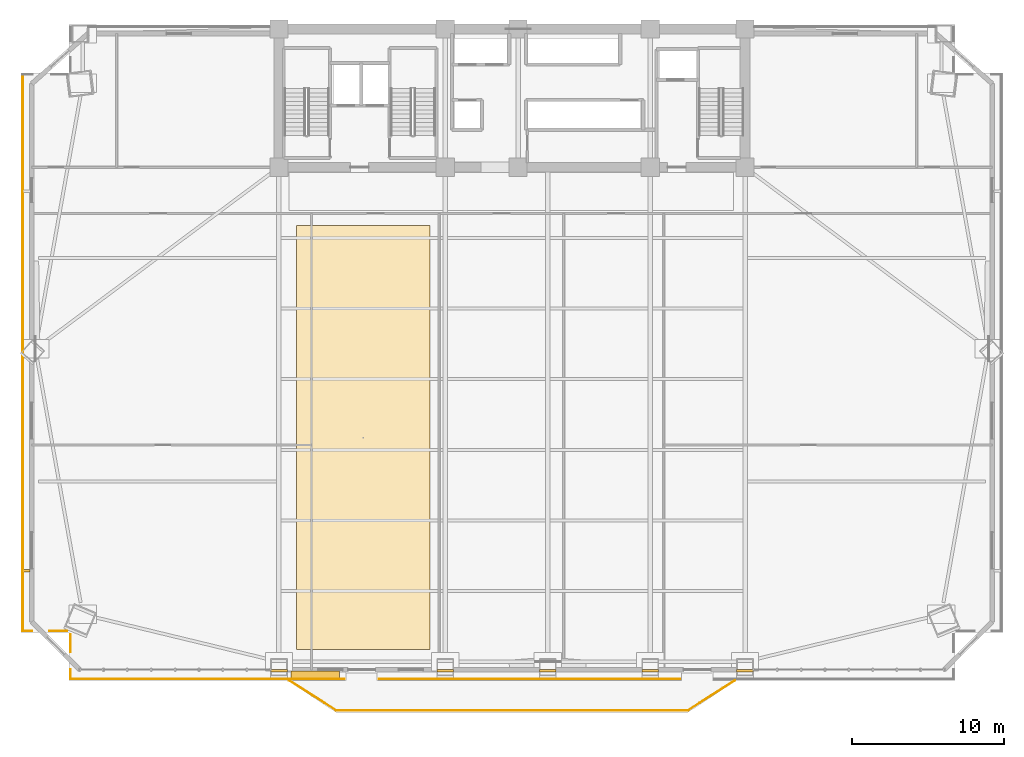
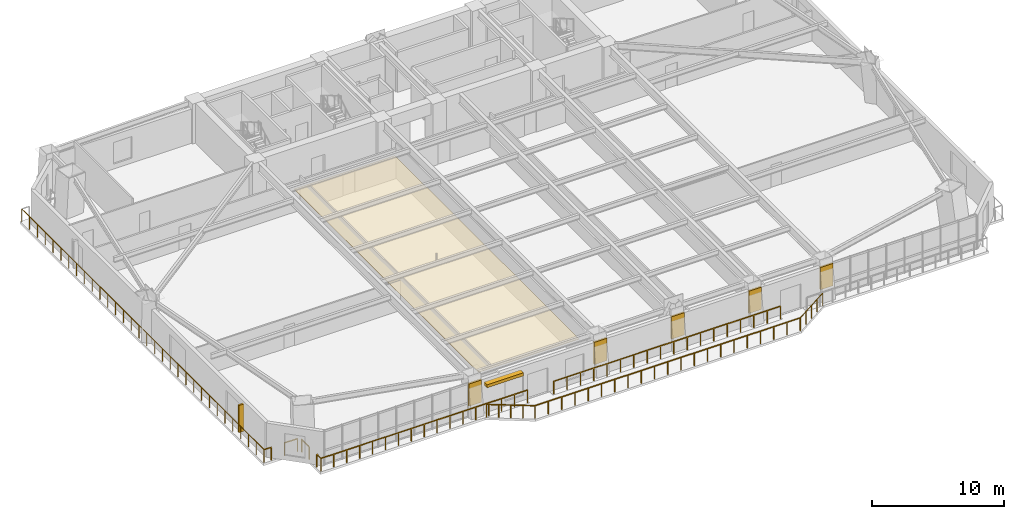
# One storey, part 13 of 17: 10 railings, 6 coverings, 2 shading devices.
"""IFC4 building model written with IfcOpenShell, lengths in metres."""

from ifc_helpers import new_model, si_unit, direction, frame, origin, origin_2d, place, context, subcontext, project, spatial, polyline, rectangle, outline, extrude, source, transform, mapped, material, layer, layer_set, type_object, element, save


model = new_model("IFC4")

# Units and contexts
model_context = context("Model", 3, precision=1e-05, world=origin(), true_north=direction((0.0, 1.0)))
body_context = subcontext(model_context, "Body", "Model", "MODEL_VIEW")
ifc_project = project(units=[si_unit("LENGTHUNIT", "METRE"), si_unit("AREAUNIT", "SQUARE_METRE"), si_unit("VOLUMEUNIT", "CUBIC_METRE"), si_unit("PLANEANGLEUNIT", "RADIAN"), si_unit("MASSUNIT", "GRAM", prefix="KILO")], contexts=[model_context])

# Site, building, storey
site_placement = place(None, origin())
site = spatial("IfcSite", under=ifc_project, at=site_placement, CompositionType="ELEMENT")
building_placement = place(site_placement, origin())
building = spatial("IfcBuilding", under=site, at=building_placement, Name="Giltprow Tower", CompositionType="ELEMENT")
storey_placement = place(building_placement, frame((0.0, 0.0, 57.199951171875)))
storey = spatial("IfcBuildingStorey", under=building, at=storey_placement, Name="L14", CompositionType="ELEMENT", Elevation=57.199951171875)

# Coverings
ifc_material_1 = material(Name="Acoustic mineral fibre", Category="gypsum")
ifc_layer_1 = layer(ifc_material_1, 0.030029296875, Name="Acoustic mineral fibre")
ifc_layer_set_1 = layer_set([ifc_layer_1], Name="Acoustic mineral fibre")
covering_type_1 = type_object("IfcCoveringType", Name="COV-CLG-ACOUSTIC", PredefinedType="CEILING", material=ifc_layer_set_1)
covering_1_placement = place(storey_placement, frame((0.0, 0.0, 2.719970703125)))
element("IfcCovering", 1, at=covering_1_placement, inside=storey, type_object=covering_type_1, Name="L14 Office Acoustic Ceiling", PredefinedType="CEILING", context=body_context, shape_type="SweptSolid", body=[
    extrude(outline(polyline([(21.0, 5.681884765625), (29.800048828125, 5.681884765625), (29.800048828125, 33.60009765625), (21.0, 33.60009765625), (21.0, 5.681884765625)])), origin(), (0.0, 0.0, 1.0), 0.030029296875),
])
ifc_material_2 = material(Name="Anodized bronze", Category="metal")
ifc_layer_2 = layer(ifc_material_2, 0.0400390625, Name="Anodized bronze")
ifc_layer_set_2 = layer_set([ifc_layer_2], Name="Anodized bronze")
covering_type_2 = type_object("IfcCoveringType", Name="COV-SOFFIT-BRONZE", PredefinedType="CLADDING", material=ifc_layer_set_2)
covering_2_placement = place(storey_placement, frame((0.0, 0.0, 1.10009765625)))
element("IfcCovering", 2, at=covering_2_placement, inside=storey, type_object=covering_type_2, Name="L14 Setback Pier Closure Cladding S-1", PredefinedType="CLADDING", context=body_context, shape_type="SweptSolid", body=[
    extrude(outline(polyline([(19.300048828125, 4.194091796875), (20.39990234375, 4.194091796875), (20.39990234375, 4.3740234375), (19.300048828125, 4.3740234375), (19.300048828125, 4.194091796875)])), origin(), (0.0, 0.0, 1.0), 2.06005859375),
])
covering_3_placement = place(storey_placement, frame((0.0, 0.0, 1.10009765625)))
element("IfcCovering", 3, at=covering_3_placement, inside=storey, type_object=covering_type_2, Name="L14 Setback Pier Closure Cladding S-2", PredefinedType="CLADDING", context=body_context, shape_type="SweptSolid", body=[
    extrude(outline(polyline([(30.25, 4.194091796875), (31.35009765625, 4.194091796875), (31.35009765625, 4.3740234375), (30.25, 4.3740234375), (30.25, 4.194091796875)])), origin(), (0.0, 0.0, 1.0), 2.06005859375),
])
covering_4_placement = place(storey_placement, frame((0.0, 0.0, 1.10009765625)))
element("IfcCovering", 4, at=covering_4_placement, inside=storey, type_object=covering_type_2, Name="L14 Setback Pier Closure Cladding S-3", PredefinedType="CLADDING", context=body_context, shape_type="SweptSolid", body=[
    extrude(outline(polyline([(37.0, 4.194091796875), (38.10009765625, 4.194091796875), (38.10009765625, 4.3740234375), (37.0, 4.3740234375), (37.0, 4.194091796875)])), origin(), (0.0, 0.0, 1.0), 2.06005859375),
])
covering_5_placement = place(storey_placement, frame((0.0, 0.0, 1.10009765625)))
element("IfcCovering", 5, at=covering_5_placement, inside=storey, type_object=covering_type_2, Name="L14 Setback Pier Closure Cladding S-4", PredefinedType="CLADDING", context=body_context, shape_type="SweptSolid", body=[
    extrude(outline(polyline([(43.75, 4.194091796875), (44.85009765625, 4.194091796875), (44.85009765625, 4.3740234375), (43.75, 4.3740234375), (43.75, 4.194091796875)])), origin(), (0.0, 0.0, 1.0), 2.06005859375),
])
covering_6_placement = place(storey_placement, frame((0.0, 0.0, 1.10009765625)))
element("IfcCovering", 6, at=covering_6_placement, inside=storey, type_object=covering_type_2, Name="L14 Setback Pier Closure Cladding S-5", PredefinedType="CLADDING", context=body_context, shape_type="SweptSolid", body=[
    extrude(outline(polyline([(50.0, 4.194091796875), (51.10009765625, 4.194091796875), (51.10009765625, 4.3740234375), (50.0, 4.3740234375), (50.0, 4.194091796875)])), origin(), (0.0, 0.0, 1.0), 2.06005859375),
])

# Railings
railing_type = type_object("IfcRailingType", Name="RAIL-BALC-GUARD-1200", PredefinedType="BALUSTRADE", material=ifc_material_2)
railing_1_placement = place(storey_placement, frame((20.52001953125, 3.654052734375, 0.0)))
element("IfcRailing", 7, at=railing_1_placement, inside=storey, type_object=railing_type, Name="L14 Waterfront Balcony Balustrade Seg 1", PredefinedType="BALUSTRADE", context=body_context, shape_type="SweptSolid", body=[
    extrude(rectangle(XDim=0.048095703125, YDim=0.048095703125, at=origin_2d()), frame((0.0, 0.0, 1.17578125), z_axis=(0.84277487735, -0.538266203757, 0.0), x_axis=(0.538266203757, 0.84277487735, 0.0)), (0.0, 0.0, 1.0), 3.678466796875),
    extrude(rectangle(XDim=0.0419921875, YDim=0.0419921875, at=origin_2d()), origin(), (0.0, 0.0, 1.0), 1.15185546875),
    extrude(rectangle(XDim=0.0419921875, YDim=0.0419921875, at=origin_2d()), frame((0.77490234375, -0.4951171875, 0.0)), (0.0, 0.0, 1.0), 1.15185546875),
    extrude(rectangle(XDim=0.0419921875, YDim=0.0419921875, at=origin_2d()), frame((1.550048828125, -0.989990234375, 0.0)), (0.0, 0.0, 1.0), 1.15185546875),
    extrude(rectangle(XDim=0.0419921875, YDim=0.0419921875, at=origin_2d()), frame((2.3251953125, -1.48486328125, 0.0)), (0.0, 0.0, 1.0), 1.15185546875),
    extrude(rectangle(XDim=0.0419921875, YDim=0.0419921875, at=origin_2d()), frame((3.10009765625, -1.97998046875, 0.0)), (0.0, 0.0, 1.0), 1.15185546875),
])
railing_2_placement = place(storey_placement, frame((23.6201171875, 1.674072265625, 0.0)))
element("IfcRailing", 8, at=railing_2_placement, inside=storey, type_object=railing_type, Name="L14 Waterfront Balcony Balustrade Seg 2", PredefinedType="BALUSTRADE", context=body_context, shape_type="SweptSolid", body=[
    extrude(rectangle(XDim=0.048095703125, YDim=0.048095703125, at=origin_2d()), frame((0.0, 0.0, 1.17578125), z_axis=(1.0, 0.0, 0.0), x_axis=(0.0, 1.0, 0.0)), (0.0, 0.0, 1.0), 23.159912109375),
    extrude(rectangle(XDim=0.0419921875, YDim=0.0419921875, at=origin_2d()), origin(), (0.0, 0.0, 1.0), 1.15185546875),
    extrude(rectangle(XDim=0.0419921875, YDim=0.0419921875, at=origin_2d()), frame((1.157958984375, 0.0, 0.0)), (0.0, 0.0, 1.0), 1.15185546875),
    extrude(rectangle(XDim=0.0419921875, YDim=0.0419921875, at=origin_2d()), frame((2.31591796875, 0.0, 0.0)), (0.0, 0.0, 1.0), 1.15185546875),
    extrude(rectangle(XDim=0.0419921875, YDim=0.0419921875, at=origin_2d()), frame((3.473876953125, 0.0, 0.0)), (0.0, 0.0, 1.0), 1.15185546875),
    extrude(rectangle(XDim=0.0419921875, YDim=0.0419921875, at=origin_2d()), frame((4.632080078125, 0.0, 0.0)), (0.0, 0.0, 1.0), 1.15185546875),
    extrude(rectangle(XDim=0.0419921875, YDim=0.0419921875, at=origin_2d()), frame((5.7900390625, 0.0, 0.0)), (0.0, 0.0, 1.0), 1.15185546875),
    extrude(rectangle(XDim=0.0419921875, YDim=0.0419921875, at=origin_2d()), frame((6.947998046875, 0.0, 0.0)), (0.0, 0.0, 1.0), 1.15185546875),
    extrude(rectangle(XDim=0.0419921875, YDim=0.0419921875, at=origin_2d()), frame((8.10595703125, 0.0, 0.0)), (0.0, 0.0, 1.0), 1.15185546875),
    extrude(rectangle(XDim=0.0419921875, YDim=0.0419921875, at=origin_2d()), frame((9.263916015625, 0.0, 0.0)), (0.0, 0.0, 1.0), 1.15185546875),
    extrude(rectangle(XDim=0.0419921875, YDim=0.0419921875, at=origin_2d()), frame((10.421875, 0.0, 0.0)), (0.0, 0.0, 1.0), 1.15185546875),
    extrude(rectangle(XDim=0.0419921875, YDim=0.0419921875, at=origin_2d()), frame((11.580078125, 0.0, 0.0)), (0.0, 0.0, 1.0), 1.15185546875),
    extrude(rectangle(XDim=0.0419921875, YDim=0.0419921875, at=origin_2d()), frame((12.738037109375, 0.0, 0.0)), (0.0, 0.0, 1.0), 1.15185546875),
    extrude(rectangle(XDim=0.0419921875, YDim=0.0419921875, at=origin_2d()), frame((13.89599609375, 0.0, 0.0)), (0.0, 0.0, 1.0), 1.15185546875),
    extrude(rectangle(XDim=0.0419921875, YDim=0.0419921875, at=origin_2d()), frame((15.053955078125, 0.0, 0.0)), (0.0, 0.0, 1.0), 1.15185546875),
    extrude(rectangle(XDim=0.0419921875, YDim=0.0419921875, at=origin_2d()), frame((16.2119140625, 0.0, 0.0)), (0.0, 0.0, 1.0), 1.15185546875),
    extrude(rectangle(XDim=0.0419921875, YDim=0.0419921875, at=origin_2d()), frame((17.369873046875, 0.0, 0.0)), (0.0, 0.0, 1.0), 1.15185546875),
    extrude(rectangle(XDim=0.0419921875, YDim=0.0419921875, at=origin_2d()), frame((18.52783203125, 0.0, 0.0)), (0.0, 0.0, 1.0), 1.15185546875),
    extrude(rectangle(XDim=0.0419921875, YDim=0.0419921875, at=origin_2d()), frame((19.68603515625, 0.0, 0.0)), (0.0, 0.0, 1.0), 1.15185546875),
    extrude(rectangle(XDim=0.0419921875, YDim=0.0419921875, at=origin_2d()), frame((20.843994140625, 0.0, 0.0)), (0.0, 0.0, 1.0), 1.15185546875),
    extrude(rectangle(XDim=0.0419921875, YDim=0.0419921875, at=origin_2d()), frame((22.001953125, 0.0, 0.0)), (0.0, 0.0, 1.0), 1.15185546875),
    extrude(rectangle(XDim=0.0419921875, YDim=0.0419921875, at=origin_2d()), frame((23.159912109375, 0.0, 0.0)), (0.0, 0.0, 1.0), 1.15185546875),
])
railing_3_placement = place(storey_placement, frame((46.780029296875, 1.674072265625, 0.0)))
element("IfcRailing", 9, at=railing_3_placement, inside=storey, type_object=railing_type, Name="L14 Waterfront Balcony Balustrade Seg 3", PredefinedType="BALUSTRADE", context=body_context, shape_type="SweptSolid", body=[
    extrude(rectangle(XDim=0.048095703125, YDim=0.048095703125, at=origin_2d()), frame((0.0, 0.0, 1.17578125), z_axis=(0.842755646126, 0.538296313309, 0.0), x_axis=(-0.538296313309, 0.842755646126, 0.0)), (0.0, 0.0, 1.0), 3.67822265625),
    extrude(rectangle(XDim=0.0419921875, YDim=0.0419921875, at=origin_2d()), origin(), (0.0, 0.0, 1.0), 1.15185546875),
    extrude(rectangle(XDim=0.0419921875, YDim=0.0419921875, at=origin_2d()), frame((0.77490234375, 0.4951171875, 0.0)), (0.0, 0.0, 1.0), 1.15185546875),
    extrude(rectangle(XDim=0.0419921875, YDim=0.0419921875, at=origin_2d()), frame((1.5498046875, 0.989990234375, 0.0)), (0.0, 0.0, 1.0), 1.15185546875),
    extrude(rectangle(XDim=0.0419921875, YDim=0.0419921875, at=origin_2d()), frame((2.324951171875, 1.48486328125, 0.0)), (0.0, 0.0, 1.0), 1.15185546875),
    extrude(rectangle(XDim=0.0419921875, YDim=0.0419921875, at=origin_2d()), frame((3.099853515625, 1.97998046875, 0.0)), (0.0, 0.0, 1.0), 1.15185546875),
])
railing_4_placement = place(storey_placement, frame((6.117919921875, 3.75390625, 0.0)))
element("IfcRailing", 10, at=railing_4_placement, inside=storey, type_object=railing_type, Name="L14 Corner Apron Edge Balustrade 1", PredefinedType="BALUSTRADE", context=body_context, shape_type="SweptSolid", body=[
    extrude(rectangle(XDim=0.048095703125, YDim=0.048095703125, at=origin_2d()), frame((0.0, 0.0, 1.17578125), z_axis=(0.0, 1.0, 0.0), x_axis=(-1.0, 0.0, 0.0)), (0.0, 0.0, 1.0), 0.6201171875),
    extrude(rectangle(XDim=0.0419921875, YDim=0.0419921875, at=origin_2d()), origin(), (0.0, 0.0, 1.0), 1.15185546875),
    extrude(rectangle(XDim=0.0419921875, YDim=0.0419921875, at=origin_2d()), frame((0.0, 0.6201171875, 0.0)), (0.0, 0.0, 1.0), 1.15185546875),
])
railing_5_placement = place(storey_placement, frame((6.117919921875, 5.533935546875, 0.0)))
element("IfcRailing", 11, at=railing_5_placement, inside=storey, type_object=railing_type, Name="L14 Corner Apron Edge Balustrade 2", PredefinedType="BALUSTRADE", context=body_context, shape_type="SweptSolid", body=[
    extrude(rectangle(XDim=0.048095703125, YDim=0.048095703125, at=origin_2d()), frame((0.0, 0.0, 1.17578125), z_axis=(0.0, 1.0, 0.0), x_axis=(-1.0, 0.0, 0.0)), (0.0, 0.0, 1.0), 1.133056640625),
    extrude(rectangle(XDim=0.0419921875, YDim=0.0419921875, at=origin_2d()), origin(), (0.0, 0.0, 1.0), 1.15185546875),
    extrude(rectangle(XDim=0.0419921875, YDim=0.0419921875, at=origin_2d()), frame((0.0, 1.133056640625, 0.0)), (0.0, 0.0, 1.0), 1.15185546875),
])
railing_6_placement = place(storey_placement, frame((5.883056640625, 6.902099609375, 0.0)))
element("IfcRailing", 12, at=railing_6_placement, inside=storey, type_object=railing_type, Name="L14 Corner Apron Edge Balustrade 3", PredefinedType="BALUSTRADE", context=body_context, shape_type="SweptSolid", body=[
    extrude(rectangle(XDim=0.048095703125, YDim=0.048095703125, at=origin_2d()), frame((0.0, 0.0, 1.17578125), z_axis=(-1.0, 0.0, 0.0), x_axis=(0.0, -1.0, 0.0)), (0.0, 0.0, 1.0), 1.133056640625),
    extrude(rectangle(XDim=0.0419921875, YDim=0.0419921875, at=origin_2d()), origin(), (0.0, 0.0, 1.0), 1.15185546875),
    extrude(rectangle(XDim=0.0419921875, YDim=0.0419921875, at=origin_2d()), frame((-1.133056640625, 0.0, 0.0)), (0.0, 0.0, 1.0), 1.15185546875),
])
railing_7_placement = place(storey_placement, frame((3.590087890625, 6.902099609375, 0.0)))
element("IfcRailing", 13, at=railing_7_placement, inside=storey, type_object=railing_type, Name="L14 Corner Apron Edge Balustrade 4", PredefinedType="BALUSTRADE", context=body_context, shape_type="SweptSolid", body=[
    extrude(rectangle(XDim=0.048095703125, YDim=0.048095703125, at=origin_2d()), frame((0.0, 0.0, 1.17578125), z_axis=(-1.0, 0.0, 0.0), x_axis=(0.0, -1.0, 0.0)), (0.0, 0.0, 1.0), 0.6201171875),
    extrude(rectangle(XDim=0.0419921875, YDim=0.0419921875, at=origin_2d()), origin(), (0.0, 0.0, 1.0), 1.15185546875),
    extrude(rectangle(XDim=0.0419921875, YDim=0.0419921875, at=origin_2d()), frame((-0.6201171875, 0.0, 0.0)), (0.0, 0.0, 1.0), 1.15185546875),
])
railing_8_placement = place(storey_placement, frame((2.969970703125, 6.902099609375, 0.0)))
element("IfcRailing", 14, at=railing_8_placement, inside=storey, type_object=railing_type, Name="L14 Corner Apron Edge Balustrade 5", PredefinedType="BALUSTRADE", context=body_context, shape_type="SweptSolid", body=[
    extrude(rectangle(XDim=0.048095703125, YDim=0.048095703125, at=origin_2d()), frame((0.0, 0.0, 1.17578125), z_axis=(0.0, 1.0, 0.0), x_axis=(-1.0, 0.0, 0.0)), (0.0, 0.0, 1.0), 36.64990234375),
    extrude(rectangle(XDim=0.0419921875, YDim=0.0419921875, at=origin_2d()), origin(), (0.0, 0.0, 1.0), 1.15185546875),
    extrude(rectangle(XDim=0.0419921875, YDim=0.0419921875, at=origin_2d()), frame((0.0, 1.182373046875, 0.0)), (0.0, 0.0, 1.0), 1.15185546875),
    extrude(rectangle(XDim=0.0419921875, YDim=0.0419921875, at=origin_2d()), frame((0.0, 2.364501953125, 0.0)), (0.0, 0.0, 1.0), 1.15185546875),
    extrude(rectangle(XDim=0.0419921875, YDim=0.0419921875, at=origin_2d()), frame((0.0, 3.546875, 0.0)), (0.0, 0.0, 1.0), 1.15185546875),
    extrude(rectangle(XDim=0.0419921875, YDim=0.0419921875, at=origin_2d()), frame((0.0, 4.72900390625, 0.0)), (0.0, 0.0, 1.0), 1.15185546875),
    extrude(rectangle(XDim=0.0419921875, YDim=0.0419921875, at=origin_2d()), frame((0.0, 5.911376953125, 0.0)), (0.0, 0.0, 1.0), 1.15185546875),
    extrude(rectangle(XDim=0.0419921875, YDim=0.0419921875, at=origin_2d()), frame((0.0, 7.093505859375, 0.0)), (0.0, 0.0, 1.0), 1.15185546875),
    extrude(rectangle(XDim=0.0419921875, YDim=0.0419921875, at=origin_2d()), frame((0.0, 8.27587890625, 0.0)), (0.0, 0.0, 1.0), 1.15185546875),
    extrude(rectangle(XDim=0.0419921875, YDim=0.0419921875, at=origin_2d()), frame((0.0, 9.4580078125, 0.0)), (0.0, 0.0, 1.0), 1.15185546875),
    extrude(rectangle(XDim=0.0419921875, YDim=0.0419921875, at=origin_2d()), frame((0.0, 10.640380859375, 0.0)), (0.0, 0.0, 1.0), 1.15185546875),
    extrude(rectangle(XDim=0.0419921875, YDim=0.0419921875, at=origin_2d()), frame((0.0, 11.822509765625, 0.0)), (0.0, 0.0, 1.0), 1.15185546875),
    extrude(rectangle(XDim=0.0419921875, YDim=0.0419921875, at=origin_2d()), frame((0.0, 13.0048828125, 0.0)), (0.0, 0.0, 1.0), 1.15185546875),
    extrude(rectangle(XDim=0.0419921875, YDim=0.0419921875, at=origin_2d()), frame((0.0, 14.18701171875, 0.0)), (0.0, 0.0, 1.0), 1.15185546875),
    extrude(rectangle(XDim=0.0419921875, YDim=0.0419921875, at=origin_2d()), frame((0.0, 15.369384765625, 0.0)), (0.0, 0.0, 1.0), 1.15185546875),
    extrude(rectangle(XDim=0.0419921875, YDim=0.0419921875, at=origin_2d()), frame((0.0, 16.551513671875, 0.0)), (0.0, 0.0, 1.0), 1.15185546875),
    extrude(rectangle(XDim=0.0419921875, YDim=0.0419921875, at=origin_2d()), frame((0.0, 17.73388671875, 0.0)), (0.0, 0.0, 1.0), 1.15185546875),
    extrude(rectangle(XDim=0.0419921875, YDim=0.0419921875, at=origin_2d()), frame((0.0, 18.916015625, 0.0)), (0.0, 0.0, 1.0), 1.15185546875),
    extrude(rectangle(XDim=0.0419921875, YDim=0.0419921875, at=origin_2d()), frame((0.0, 20.098388671875, 0.0)), (0.0, 0.0, 1.0), 1.15185546875),
    extrude(rectangle(XDim=0.0419921875, YDim=0.0419921875, at=origin_2d()), frame((0.0, 21.280517578125, 0.0)), (0.0, 0.0, 1.0), 1.15185546875),
    extrude(rectangle(XDim=0.0419921875, YDim=0.0419921875, at=origin_2d()), frame((0.0, 22.462890625, 0.0)), (0.0, 0.0, 1.0), 1.15185546875),
    extrude(rectangle(XDim=0.0419921875, YDim=0.0419921875, at=origin_2d()), frame((0.0, 23.64501953125, 0.0)), (0.0, 0.0, 1.0), 1.15185546875),
    extrude(rectangle(XDim=0.0419921875, YDim=0.0419921875, at=origin_2d()), frame((0.0, 24.827392578125, 0.0)), (0.0, 0.0, 1.0), 1.15185546875),
    extrude(rectangle(XDim=0.0419921875, YDim=0.0419921875, at=origin_2d()), frame((0.0, 26.009521484375, 0.0)), (0.0, 0.0, 1.0), 1.15185546875),
    extrude(rectangle(XDim=0.0419921875, YDim=0.0419921875, at=origin_2d()), frame((0.0, 27.19189453125, 0.0)), (0.0, 0.0, 1.0), 1.15185546875),
    extrude(rectangle(XDim=0.0419921875, YDim=0.0419921875, at=origin_2d()), frame((0.0, 28.3740234375, 0.0)), (0.0, 0.0, 1.0), 1.15185546875),
    extrude(rectangle(XDim=0.0419921875, YDim=0.0419921875, at=origin_2d()), frame((0.0, 29.556396484375, 0.0)), (0.0, 0.0, 1.0), 1.15185546875),
    extrude(rectangle(XDim=0.0419921875, YDim=0.0419921875, at=origin_2d()), frame((0.0, 30.738525390625, 0.0)), (0.0, 0.0, 1.0), 1.15185546875),
    extrude(rectangle(XDim=0.0419921875, YDim=0.0419921875, at=origin_2d()), frame((0.0, 31.9208984375, 0.0)), (0.0, 0.0, 1.0), 1.15185546875),
    extrude(rectangle(XDim=0.0419921875, YDim=0.0419921875, at=origin_2d()), frame((0.0, 33.10302734375, 0.0)), (0.0, 0.0, 1.0), 1.15185546875),
    extrude(rectangle(XDim=0.0419921875, YDim=0.0419921875, at=origin_2d()), frame((0.0, 34.285400390625, 0.0)), (0.0, 0.0, 1.0), 1.15185546875),
    extrude(rectangle(XDim=0.0419921875, YDim=0.0419921875, at=origin_2d()), frame((0.0, 35.467529296875, 0.0)), (0.0, 0.0, 1.0), 1.15185546875),
    extrude(rectangle(XDim=0.0419921875, YDim=0.0419921875, at=origin_2d()), frame((0.0, 36.64990234375, 0.0)), (0.0, 0.0, 1.0), 1.15185546875),
])
railing_9_placement = place(storey_placement, frame((46.25, 3.75390625, 0.0)))
element("IfcRailing", 15, at=railing_9_placement, inside=storey, type_object=railing_type, Name="L14 Corner Apron Edge Balustrade 22", PredefinedType="BALUSTRADE", context=body_context, shape_type="SweptSolid", body=[
    extrude(rectangle(XDim=0.048095703125, YDim=0.048095703125, at=origin_2d()), frame((0.0, 0.0, 1.17578125), z_axis=(-1.0, 0.0, 0.0), x_axis=(0.0, -1.0, 0.0)), (0.0, 0.0, 1.0), 19.800048828125),
    extrude(rectangle(XDim=0.0419921875, YDim=0.0419921875, at=origin_2d()), origin(), (0.0, 0.0, 1.0), 1.15185546875),
    extrude(rectangle(XDim=0.0419921875, YDim=0.0419921875, at=origin_2d()), frame((-1.164794921875, 0.0, 0.0)), (0.0, 0.0, 1.0), 1.15185546875),
    extrude(rectangle(XDim=0.0419921875, YDim=0.0419921875, at=origin_2d()), frame((-2.329345703125, 0.0, 0.0)), (0.0, 0.0, 1.0), 1.15185546875),
    extrude(rectangle(XDim=0.0419921875, YDim=0.0419921875, at=origin_2d()), frame((-3.494140625, 0.0, 0.0)), (0.0, 0.0, 1.0), 1.15185546875),
    extrude(rectangle(XDim=0.0419921875, YDim=0.0419921875, at=origin_2d()), frame((-4.658935546875, 0.0, 0.0)), (0.0, 0.0, 1.0), 1.15185546875),
    extrude(rectangle(XDim=0.0419921875, YDim=0.0419921875, at=origin_2d()), frame((-5.823486328125, 0.0, 0.0)), (0.0, 0.0, 1.0), 1.15185546875),
    extrude(rectangle(XDim=0.0419921875, YDim=0.0419921875, at=origin_2d()), frame((-6.98828125, 0.0, 0.0)), (0.0, 0.0, 1.0), 1.15185546875),
    extrude(rectangle(XDim=0.0419921875, YDim=0.0419921875, at=origin_2d()), frame((-8.153076171875, 0.0, 0.0)), (0.0, 0.0, 1.0), 1.15185546875),
    extrude(rectangle(XDim=0.0419921875, YDim=0.0419921875, at=origin_2d()), frame((-9.317626953125, 0.0, 0.0)), (0.0, 0.0, 1.0), 1.15185546875),
    extrude(rectangle(XDim=0.0419921875, YDim=0.0419921875, at=origin_2d()), frame((-10.482421875, 0.0, 0.0)), (0.0, 0.0, 1.0), 1.15185546875),
    extrude(rectangle(XDim=0.0419921875, YDim=0.0419921875, at=origin_2d()), frame((-11.64697265625, 0.0, 0.0)), (0.0, 0.0, 1.0), 1.15185546875),
    extrude(rectangle(XDim=0.0419921875, YDim=0.0419921875, at=origin_2d()), frame((-12.811767578125, 0.0, 0.0)), (0.0, 0.0, 1.0), 1.15185546875),
    extrude(rectangle(XDim=0.0419921875, YDim=0.0419921875, at=origin_2d()), frame((-13.9765625, 0.0, 0.0)), (0.0, 0.0, 1.0), 1.15185546875),
    extrude(rectangle(XDim=0.0419921875, YDim=0.0419921875, at=origin_2d()), frame((-15.14111328125, 0.0, 0.0)), (0.0, 0.0, 1.0), 1.15185546875),
    extrude(rectangle(XDim=0.0419921875, YDim=0.0419921875, at=origin_2d()), frame((-16.305908203125, 0.0, 0.0)), (0.0, 0.0, 1.0), 1.15185546875),
    extrude(rectangle(XDim=0.0419921875, YDim=0.0419921875, at=origin_2d()), frame((-17.470703125, 0.0, 0.0)), (0.0, 0.0, 1.0), 1.15185546875),
    extrude(rectangle(XDim=0.0419921875, YDim=0.0419921875, at=origin_2d()), frame((-18.63525390625, 0.0, 0.0)), (0.0, 0.0, 1.0), 1.15185546875),
    extrude(rectangle(XDim=0.0419921875, YDim=0.0419921875, at=origin_2d()), frame((-19.800048828125, 0.0, 0.0)), (0.0, 0.0, 1.0), 1.15185546875),
])
railing_10_placement = place(storey_placement, frame((24.14990234375, 3.75390625, 0.0)))
element("IfcRailing", 16, at=railing_10_placement, inside=storey, type_object=railing_type, Name="L14 Corner Apron Edge Balustrade 23", PredefinedType="BALUSTRADE", context=body_context, shape_type="SweptSolid", body=[
    extrude(rectangle(XDim=0.048095703125, YDim=0.048095703125, at=origin_2d()), frame((0.0, 0.0, 1.17578125), z_axis=(-1.0, 0.0, 0.0), x_axis=(0.0, -1.0, 0.0)), (0.0, 0.0, 1.0), 18.031982421875),
    extrude(rectangle(XDim=0.0419921875, YDim=0.0419921875, at=origin_2d()), origin(), (0.0, 0.0, 1.0), 1.15185546875),
    extrude(rectangle(XDim=0.0419921875, YDim=0.0419921875, at=origin_2d()), frame((-1.126953125, 0.0, 0.0)), (0.0, 0.0, 1.0), 1.15185546875),
    extrude(rectangle(XDim=0.0419921875, YDim=0.0419921875, at=origin_2d()), frame((-2.25390625, 0.0, 0.0)), (0.0, 0.0, 1.0), 1.15185546875),
    extrude(rectangle(XDim=0.0419921875, YDim=0.0419921875, at=origin_2d()), frame((-3.381103515625, 0.0, 0.0)), (0.0, 0.0, 1.0), 1.15185546875),
    extrude(rectangle(XDim=0.0419921875, YDim=0.0419921875, at=origin_2d()), frame((-4.508056640625, 0.0, 0.0)), (0.0, 0.0, 1.0), 1.15185546875),
    extrude(rectangle(XDim=0.0419921875, YDim=0.0419921875, at=origin_2d()), frame((-5.635009765625, 0.0, 0.0)), (0.0, 0.0, 1.0), 1.15185546875),
    extrude(rectangle(XDim=0.0419921875, YDim=0.0419921875, at=origin_2d()), frame((-6.761962890625, 0.0, 0.0)), (0.0, 0.0, 1.0), 1.15185546875),
    extrude(rectangle(XDim=0.0419921875, YDim=0.0419921875, at=origin_2d()), frame((-7.888916015625, 0.0, 0.0)), (0.0, 0.0, 1.0), 1.15185546875),
    extrude(rectangle(XDim=0.0419921875, YDim=0.0419921875, at=origin_2d()), frame((-9.01611328125, 0.0, 0.0)), (0.0, 0.0, 1.0), 1.15185546875),
    extrude(rectangle(XDim=0.0419921875, YDim=0.0419921875, at=origin_2d()), frame((-10.14306640625, 0.0, 0.0)), (0.0, 0.0, 1.0), 1.15185546875),
    extrude(rectangle(XDim=0.0419921875, YDim=0.0419921875, at=origin_2d()), frame((-11.27001953125, 0.0, 0.0)), (0.0, 0.0, 1.0), 1.15185546875),
    extrude(rectangle(XDim=0.0419921875, YDim=0.0419921875, at=origin_2d()), frame((-12.39697265625, 0.0, 0.0)), (0.0, 0.0, 1.0), 1.15185546875),
    extrude(rectangle(XDim=0.0419921875, YDim=0.0419921875, at=origin_2d()), frame((-13.52392578125, 0.0, 0.0)), (0.0, 0.0, 1.0), 1.15185546875),
    extrude(rectangle(XDim=0.0419921875, YDim=0.0419921875, at=origin_2d()), frame((-14.65087890625, 0.0, 0.0)), (0.0, 0.0, 1.0), 1.15185546875),
    extrude(rectangle(XDim=0.0419921875, YDim=0.0419921875, at=origin_2d()), frame((-15.778076171875, 0.0, 0.0)), (0.0, 0.0, 1.0), 1.15185546875),
    extrude(rectangle(XDim=0.0419921875, YDim=0.0419921875, at=origin_2d()), frame((-16.905029296875, 0.0, 0.0)), (0.0, 0.0, 1.0), 1.15185546875),
    extrude(rectangle(XDim=0.0419921875, YDim=0.0419921875, at=origin_2d()), frame((-18.031982421875, 0.0, 0.0)), (0.0, 0.0, 1.0), 1.15185546875),
])

# Shading devices
shading_device_type_1 = type_object("IfcShadingDeviceType", Name="SHD-FIN-420", PredefinedType="USERDEFINED", material=ifc_material_2)
shared_shape_1 = source(origin(), body_context, "Body", "SweptSolid", [
    extrude(rectangle(XDim=0.419921875, YDim=0.159912109375, at=origin_2d()), origin(), (0.0, 0.0, 1.0), 2.5),
])
shading_device_1_placement = place(storey_placement, frame((3.25, 10.887939453125, 0.35009765625), z_axis=(0.0, 0.0, 1.0), x_axis=(1.0, 0.0, 0.0)))
element("IfcShadingDevice", 17, at=shading_device_1_placement, inside=storey, type_object=shading_device_type_1, Name="L14 W Bronze Vertical Fin 1-1", ObjectType="FIN", PredefinedType="USERDEFINED", context=body_context, shape_type="MappedRepresentation", body=[
    mapped(shared_shape_1, transform((0.0, 0.0, 0.0), x_axis=(1.0, 0.0, 0.0), y_axis=(0.0, 1.0, 0.0), z_axis=(0.0, 0.0, 1.0), scale=1.0)),
])
shading_device_type_2 = type_object("IfcShadingDeviceType", Name="SHD-LOUVRE-320", PredefinedType="JALOUSIE", material=ifc_material_2)
shared_shape_2 = source(origin(), body_context, "Body", "SweptSolid", [
    extrude(rectangle(XDim=3.199951171875, YDim=0.449951171875, at=origin_2d()), origin(), (0.0, 0.0, 1.0), 0.280029296875),
])
shading_device_2_placement = place(storey_placement, frame((22.25, 4.033935546875, 2.56005859375), z_axis=(0.0, 0.0, 1.0), x_axis=(1.0, 0.0, 0.0)))
element("IfcShadingDevice", 18, at=shading_device_2_placement, inside=storey, type_object=shading_device_type_2, Name="L14 Bronze Sunshade Louvre S-2", PredefinedType="JALOUSIE", context=body_context, shape_type="MappedRepresentation", body=[
    mapped(shared_shape_2, transform((0.0, 0.0, 0.0), x_axis=(1.0, 0.0, 0.0), y_axis=(0.0, 1.0, 0.0), z_axis=(0.0, 0.0, 1.0), scale=1.0)),
])

save(model, "model.ifc")
